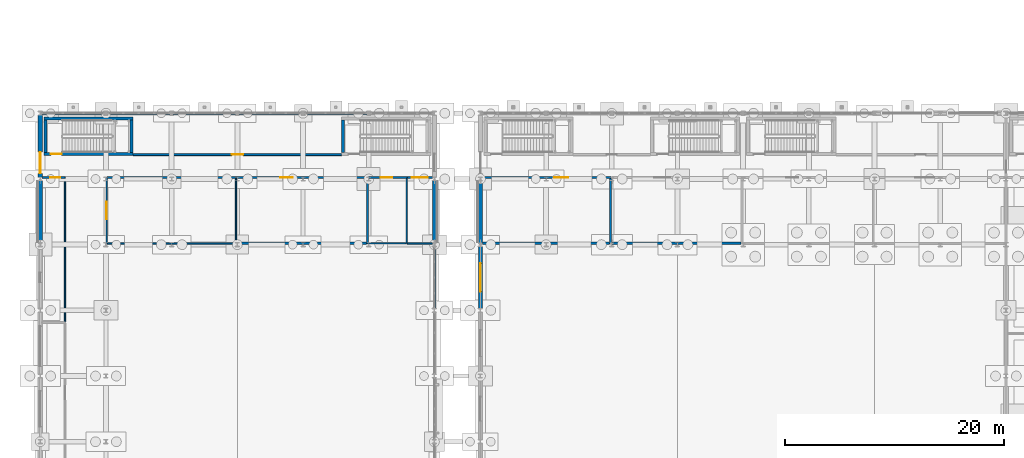
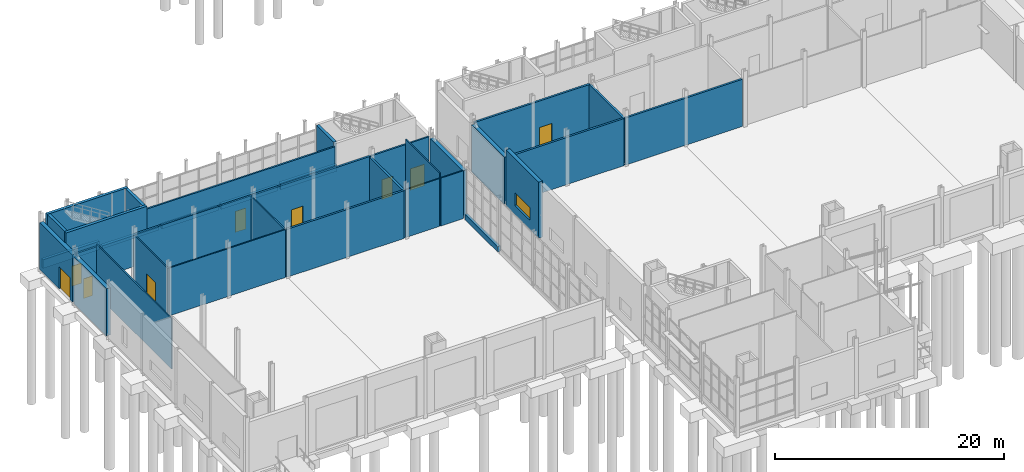
# One storey, part 94 of 120: 35 walls, 9 doors, 1 window, 10 openings.
"""IFC4 building model written with IfcOpenShell, lengths in metres."""

from ifc_helpers import new_model, si_unit, direction, frame, frame_2d, origin, place, context, subcontext, project, spatial, rectangle, extrude, material, layer, layer_set, type_object, element, fill, save


model = new_model("IFC4")

# Units and contexts
model_context = context("Model", 3, precision=1e-05, world=origin(), true_north=direction((0.0, 1.0)))
body_context = subcontext(model_context, "Body", "Model", "MODEL_VIEW")
ifc_project = project(units=[si_unit("LENGTHUNIT", "METRE"), si_unit("AREAUNIT", "SQUARE_METRE"), si_unit("VOLUMEUNIT", "CUBIC_METRE"), si_unit("PLANEANGLEUNIT", "RADIAN"), si_unit("MASSUNIT", "GRAM", prefix="KILO")], contexts=[model_context])

# Site, building, storey
site_placement = place(None, origin())
site = spatial("IfcSite", under=ifc_project, at=site_placement, CompositionType="ELEMENT")
building_placement = place(site_placement, origin())
building = spatial("IfcBuilding", under=site, at=building_placement, Name="Siltcreek Boulevard Central Fire Station", CompositionType="ELEMENT")
storey_placement = place(building_placement, origin())
storey = spatial("IfcBuildingStorey", under=building, at=storey_placement, Name="L01", CompositionType="ELEMENT", Elevation=0.0)

# Wall, opening, door
ifc_material_1 = material(Name="Concrete C40/50", Category="concrete")
ifc_layer_1 = layer(ifc_material_1, 0.280029296875, Name="Concrete C40/50")
ifc_layer_set_1 = layer_set([ifc_layer_1], Name="Concrete C40/50")
wall_type_1 = type_object("IfcWallType", Name="CW_SHEAR280", PredefinedType="SHEAR", material=ifc_layer_set_1)
wall_1_placement = place(storey_placement, frame((2.1201171875, 50.260009765625, 0.0), z_axis=(0.0, 0.0, 1.0), x_axis=(1.0, 0.0, 0.0)))
wall_1 = element("IfcWall", 1, at=wall_1_placement, inside=storey, type_object=wall_type_1, Name="L01 ST-V4A stair enclosure south shear wall", PredefinedType="SHEAR", context=body_context, shape_type="SweptSolid", body=[
    extrude(rectangle(XDim=8.159912109375, YDim=0.280029296875, at=frame_2d((4.080078125, 0.0))), origin(), (0.0, 0.0, 1.0), 6.0),
])
opening_1_placement = place(wall_1_placement, frame((0.64990234375, 0.0, 0.0)))
opening_1 = element("IfcOpeningElement", 2, at=opening_1_placement, cuts=wall_1, Name="Opening SD-001", PredefinedType="OPENING", context=body_context, shape_type="SweptSolid", body=[
    extrude(rectangle(XDim=0.97998046875, YDim=2.14990234375, at=frame_2d((0.489990234375, 1.074951171875))), frame((0.0, 0.14990234375, 0.0), z_axis=(0.0, -1.0, 0.0), x_axis=(1.0, 0.0, 0.0)), (0.0, 0.0, 1.0), 0.300048828125),
])
ifc_material_2 = material(Name="Hollow metal 90-min enclosed stair door")
door_type_1 = type_object("IfcDoorType", Name="DR_ST_098X215", OperationType="NOTDEFINED", PredefinedType="DOOR", material=ifc_material_2)
door_1_placement = place(opening_1_placement, origin())
door_1 = element("IfcDoor", 3, at=door_1_placement, inside=storey, type_object=door_type_1, Name="L01 ST-V4A enclosed exit stair door SD-001", OperationType="SINGLE_SWING_RIGHT", OverallHeight=2.14990234375, OverallWidth=0.97998046875, PredefinedType="DOOR", context=body_context, shape_type="SweptSolid", body=[
    extrude(rectangle(XDim=0.97998046875, YDim=2.14990234375, at=frame_2d((0.489990234375, 1.074951171875))), frame((0.0, 0.02490234375, 0.0), z_axis=(0.0, -1.0, 0.0), x_axis=(1.0, 0.0, 0.0)), (0.0, 0.0, 1.0), 0.050048828125),
])
fill(opening_1, door_1)

# Walls
wall_2_placement = place(storey_placement, frame((10.280029296875, 53.5400390625, 0.0), z_axis=(0.0, 0.0, 1.0), x_axis=(-1.0, 0.0, 0.0)))
element("IfcWall", 4, at=wall_2_placement, inside=storey, type_object=wall_type_1, Name="L01 ST-V4A stair enclosure north shear wall", PredefinedType="SHEAR", context=body_context, shape_type="SweptSolid", body=[
    extrude(rectangle(XDim=8.159912109375, YDim=0.280029296875, at=frame_2d((4.080078125, 0.0))), origin(), (0.0, 0.0, 1.0), 6.0),
])
for number, where, z_axis, x_axis, name in (
    (5, (2.260009765625, 53.39990234375, 0.0), (0.0, 0.0, 1.0), (0.0, -1.0, 0.0), "L01 ST-V4A stair enclosure west shear wall"),
    (6, (10.139892578125, 50.39990234375, 0.0), (0.0, 0.0, 1.0), (0.0, 1.0, 0.0), "L01 ST-V4A stair enclosure east shear wall"),
    (7, (29.4599609375, 53.39990234375, 0.0), (0.0, 0.0, 1.0), (0.0, -1.0, 0.0), "L01 ST-V4B stair enclosure west shear wall"),
):
    element("IfcWall", number, at=place(storey_placement, frame(where, z_axis=z_axis, x_axis=x_axis)), inside=storey, type_object=wall_type_1, Name=name, PredefinedType="SHEAR", context=body_context, shape_type="SweptSolid", body=[
        extrude(rectangle(XDim=3.0, YDim=0.280029296875, at=frame_2d((1.5, 0.0))), origin(), (0.0, 0.0, 1.0), 6.0),
    ])

# Wall, opening, window
ifc_material_3 = material(Name="Terracotta brick rainscreen on insulated CMU", Category="masonry")
ifc_layer_2 = layer(ifc_material_3, 0.389892578125, Name="Terracotta brick rainscreen on insulated CMU")
ifc_layer_set_2 = layer_set([ifc_layer_2], Name="Terracotta brick rainscreen on insulated CMU")
wall_type_2 = type_object("IfcWallType", Name="EW_BRICK390", PredefinedType="STANDARD", material=ifc_layer_set_2)
wall_3_placement = place(storey_placement, frame((42.0, 41.85498046875, 0.0), z_axis=(0.0, 0.0, 1.0), x_axis=(0.0, -1.0, 0.0)))
wall_3 = element("IfcWall", 8, at=wall_3_placement, inside=storey, type_object=wall_type_2, Name="L01 V1 exterior insulated rainscreen wall WL-EXT-L01-0023", PredefinedType="STANDARD", context=body_context, shape_type="SweptSolid", body=[
    extrude(rectangle(XDim=5.7099609375, YDim=0.389892578125, at=frame_2d((2.85498046875, 0.0))), origin(), (0.0, 0.0, 1.0), 6.0),
])
opening_2_placement = place(wall_3_placement, frame((1.554931640625, 0.0, 1.0)))
opening_2 = element("IfcOpeningElement", 9, at=opening_2_placement, cuts=wall_3, Name="Opening WN12", PredefinedType="OPENING", context=body_context, shape_type="SweptSolid", body=[
    extrude(rectangle(XDim=2.60009765625, YDim=1.360107421875, at=frame_2d((1.300048828125, 0.68017578125))), frame((0.0, 0.204833984375, 0.0), z_axis=(0.0, -1.0, 0.0), x_axis=(1.0, 0.0, 0.0)), (0.0, 0.0, 1.0), 0.409912109375),
])
ifc_material_4 = material(Name="Thermally broken aluminum frame with low-E insulated glass", Category="aluminium")
window_type = type_object("IfcWindowType", Name="WN_PB_260X136", PartitioningType="SINGLE_PANEL", PredefinedType="WINDOW", material=ifc_material_4)
window_placement = place(opening_2_placement, origin())
window = element("IfcWindow", 10, at=window_placement, inside=storey, type_object=window_type, Name="L01 V1 exterior window WN-0006", OverallHeight=1.360107421875, OverallWidth=2.60009765625, PartitioningType="SINGLE_PANEL", PredefinedType="WINDOW", context=body_context, shape_type="SweptSolid", body=[
    extrude(rectangle(XDim=2.60009765625, YDim=1.360107421875, at=frame_2d((1.300048828125, 0.68017578125))), frame((0.0, 0.030029296875, 0.0), z_axis=(0.0, -1.0, 0.0), x_axis=(1.0, 0.0, 0.0)), (0.0, 0.0, 1.0), 0.06005859375),
])
fill(opening_2, window)

# Walls
for number, where, z_axis, x_axis, name in (
    (11, (42.0, 47.85498046875, 0.0), (0.0, 0.0, 1.0), (0.0, -1.0, 0.0), "L01 V1 exterior insulated rainscreen wall WL-EXT-L01-0024"),
    (12, (1.800048828125, 47.85498046875, 0.0), (0.0, 0.0, 1.0), (0.0, -1.0, 0.0), "L01 V4 exterior insulated rainscreen wall WL-EXT-L01-0239"),
):
    element("IfcWall", number, at=place(storey_placement, frame(where, z_axis=z_axis, x_axis=x_axis)), inside=storey, type_object=wall_type_2, Name=name, PredefinedType="STANDARD", context=body_context, shape_type="SweptSolid", body=[
        extrude(rectangle(XDim=5.7099609375, YDim=0.389892578125, at=frame_2d((2.85498046875, 0.0))), origin(), (0.0, 0.0, 1.0), 5.0439453125),
    ])

# Wall, opening, door
wall_4_placement = place(storey_placement, frame((1.800048828125, 53.85498046875, 0.0), z_axis=(0.0, 0.0, 1.0), x_axis=(0.0, -1.0, 0.0)))
wall_4 = element("IfcWall", 13, at=wall_4_placement, inside=storey, type_object=wall_type_2, Name="L01 V4 exterior insulated rainscreen wall WL-EXT-L01-0240", PredefinedType="STANDARD", context=body_context, shape_type="SweptSolid", body=[
    extrude(rectangle(XDim=5.7099609375, YDim=0.389892578125, at=frame_2d((2.85498046875, 0.0))), origin(), (0.0, 0.0, 1.0), 5.0439453125),
])
opening_3_placement = place(wall_4_placement, frame((3.3935546875, 0.0, 0.0)))
opening_3 = element("IfcOpeningElement", 14, at=opening_3_placement, cuts=wall_4, Name="Opening ED-124", PredefinedType="OPENING", context=body_context, shape_type="SweptSolid", body=[
    extrude(rectangle(XDim=1.949951171875, YDim=2.35009765625, at=frame_2d((0.97509765625, 1.175048828125))), frame((0.0, 0.204833984375, 0.0), z_axis=(0.0, -1.0, 0.0), x_axis=(1.0, 0.0, 0.0)), (0.0, 0.0, 1.0), 0.409912109375),
])
ifc_material_5 = material(Name="Hollow metal insulated exit discharge pair")
door_type_2 = type_object("IfcDoorType", Name="DR_EXT_195X235", OperationType="NOTDEFINED", PredefinedType="DOOR", material=ifc_material_5)
door_2_placement = place(opening_3_placement, frame((1.949951171875, 0.0, 0.0), z_axis=(0.0, 0.0, 1.0), x_axis=(-1.0, 0.0, 0.0)))
door_2 = element("IfcDoor", 15, at=door_2_placement, inside=storey, type_object=door_type_2, Name="Ground level pedestrian final exit door ED-124", OperationType="DOUBLE_DOOR_SINGLE_SWING", OverallHeight=2.35009765625, OverallWidth=1.949951171875, PredefinedType="DOOR", context=body_context, shape_type="SweptSolid", body=[
    extrude(rectangle(XDim=1.949951171875, YDim=2.35009765625, at=frame_2d((0.97509765625, 1.175048828125))), frame((0.0, 0.02490234375, 0.0), z_axis=(0.0, -1.0, 0.0), x_axis=(1.0, 0.0, 0.0)), (0.0, 0.0, 1.0), 0.050048828125),
])
fill(opening_3, door_2)

# Walls
wall_5_placement = place(storey_placement, frame((37.800048828125, 42.14501953125, 0.0), z_axis=(0.0, 0.0, 1.0), x_axis=(0.0, 1.0, 0.0)))
element("IfcWall", 16, at=wall_5_placement, inside=storey, type_object=wall_type_2, Name="L01 V4 exterior insulated rainscreen wall WL-EXT-L01-0245", PredefinedType="STANDARD", context=body_context, shape_type="SweptSolid", body=[
    extrude(rectangle(XDim=5.7099609375, YDim=0.389892578125, at=frame_2d((2.85498046875, 0.0))), origin(), (0.0, 0.0, 1.0), 5.0439453125),
])
ifc_material_6 = material(Name="White ribbed aluminum spandrel wall", Category="aluminium")
ifc_layer_3 = layer(ifc_material_6, 0.2900390625, Name="White ribbed aluminum spandrel wall")
ifc_layer_set_3 = layer_set([ifc_layer_3], Name="White ribbed aluminum spandrel wall")
wall_type_3 = type_object("IfcWallType", Name="EW_METAL290", PredefinedType="STANDARD", material=ifc_layer_set_3)
wall_6_placement = place(storey_placement, frame((7.655029296875, 54.0, 0.0), z_axis=(0.0, 0.0, 1.0), x_axis=(-1.0, 0.0, 0.0)))
element("IfcWall", 17, at=wall_6_placement, inside=storey, type_object=wall_type_3, Name="L01 V4 curtain-wall sill spandrel 0229", PredefinedType="STANDARD", context=body_context, shape_type="SweptSolid", body=[
    extrude(rectangle(XDim=5.7099609375, YDim=0.2900390625, at=frame_2d((2.85498046875, 0.0))), origin(), (0.0, 0.0, 1.0), 0.919921875),
])
wall_7_placement = place(storey_placement, frame((13.655029296875, 54.0, 0.0), z_axis=(0.0, 0.0, 1.0), x_axis=(-1.0, 0.0, 0.0)))
element("IfcWall", 18, at=wall_7_placement, inside=storey, type_object=wall_type_3, Name="L01 V4 curtain-wall sill spandrel 0230", PredefinedType="STANDARD", context=body_context, shape_type="SweptSolid", body=[
    extrude(rectangle(XDim=5.7099609375, YDim=0.2900390625, at=frame_2d((2.85498046875, 0.0))), origin(), (0.0, 0.0, 1.0), 0.320068359375),
])
wall_8_placement = place(storey_placement, frame((19.655029296875, 54.0, 0.0), z_axis=(0.0, 0.0, 1.0), x_axis=(-1.0, 0.0, 0.0)))
element("IfcWall", 19, at=wall_8_placement, inside=storey, type_object=wall_type_3, Name="L01 V4 curtain-wall sill spandrel 0231", PredefinedType="STANDARD", context=body_context, shape_type="SweptSolid", body=[
    extrude(rectangle(XDim=5.7099609375, YDim=0.2900390625, at=frame_2d((2.85498046875, 0.0))), origin(), (0.0, 0.0, 1.0), 0.43994140625),
])
wall_9_placement = place(storey_placement, frame((25.655029296875, 54.0, 0.0), z_axis=(0.0, 0.0, 1.0), x_axis=(-1.0, 0.0, 0.0)))
element("IfcWall", 20, at=wall_9_placement, inside=storey, type_object=wall_type_3, Name="L01 V4 curtain-wall sill spandrel 0232", PredefinedType="STANDARD", context=body_context, shape_type="SweptSolid", body=[
    extrude(rectangle(XDim=5.7099609375, YDim=0.2900390625, at=frame_2d((2.85498046875, 0.0))), origin(), (0.0, 0.0, 1.0), 0.56005859375),
])
wall_10_placement = place(storey_placement, frame((31.655029296875, 54.0, 0.0), z_axis=(0.0, 0.0, 1.0), x_axis=(-1.0, 0.0, 0.0)))
element("IfcWall", 21, at=wall_10_placement, inside=storey, type_object=wall_type_3, Name="L01 V4 curtain-wall sill spandrel 0233", PredefinedType="STANDARD", context=body_context, shape_type="SweptSolid", body=[
    extrude(rectangle(XDim=5.7099609375, YDim=0.2900390625, at=frame_2d((2.85498046875, 0.0))), origin(), (0.0, 0.0, 1.0), 0.679931640625),
])
wall_11_placement = place(storey_placement, frame((37.800048828125, 36.14501953125, 0.0), z_axis=(0.0, 0.0, 1.0), x_axis=(0.0, 1.0, 0.0)))
element("IfcWall", 22, at=wall_11_placement, inside=storey, type_object=wall_type_3, Name="L01 V4 curtain-wall sill spandrel 0244", PredefinedType="STANDARD", context=body_context, shape_type="SweptSolid", body=[
    extrude(rectangle(XDim=5.7099609375, YDim=0.2900390625, at=frame_2d((2.85498046875, 0.0))), origin(), (0.0, 0.0, 1.0), 0.56005859375),
])

# Wall, opening, door
ifc_material_7 = material(Name="Fire-rated concrete masonry and gypsum barrier", Category="masonry")
ifc_layer_4 = layer(ifc_material_7, 0.199951171875, Name="Fire-rated concrete masonry and gypsum barrier")
ifc_layer_set_4 = layer_set([ifc_layer_4], Name="Fire-rated concrete masonry and gypsum barrier")
wall_type_4 = type_object("IfcWallType", Name="IW_FIRE200", PredefinedType="PARTITIONING", material=ifc_layer_set_4)
wall_12_placement = place(storey_placement, frame((19.742431640625, 48.1298828125, 0.0), z_axis=(0.0, 0.0, 1.0), x_axis=(1.0, 0.0, 0.0)))
wall_12 = element("IfcWall", 23, at=wall_12_placement, inside=storey, type_object=wall_type_4, Name="L01 Hydraulic Lift Testing Bay partition 0024", PredefinedType="PARTITIONING", context=body_context, shape_type="SweptSolid", body=[
    extrude(rectangle(XDim=11.9775390625, YDim=0.199951171875, at=frame_2d((5.98876953125, 0.0))), origin(), (0.0, 0.0, 1.0), 5.113037109375),
])
opening_4_placement = place(wall_12_placement, frame((3.9677734375, 0.0, 0.0)))
opening_4 = element("IfcOpeningElement", 24, at=opening_4_placement, cuts=wall_12, Name="Opening ID07", PredefinedType="OPENING", context=body_context, shape_type="SweptSolid", body=[
    extrude(rectangle(XDim=1.1298828125, YDim=2.179931640625, at=frame_2d((0.56494140625, 1.08984375))), frame((0.0, 0.10986328125, 0.0), z_axis=(0.0, -1.0, 0.0), x_axis=(1.0, 0.0, 0.0)), (0.0, 0.0, 1.0), 0.219970703125),
])
ifc_material_8 = material(Name="Galvanized steel drill training prop door", Category="steel")
door_type_3 = type_object("IfcDoorType", Name="DR_DRL_113X218", OperationType="NOTDEFINED", PredefinedType="DOOR", material=ifc_material_8)
door_3_placement = place(opening_4_placement, frame((1.1298828125, 0.0, 0.0), z_axis=(0.0, 0.0, 1.0), x_axis=(-1.0, 0.0, 0.0)))
door_3 = element("IfcDoor", 25, at=door_3_placement, inside=storey, type_object=door_type_3, Name="L01 Hydraulic Lift Testing Bay door ID-0011", OperationType="SINGLE_SWING_RIGHT", OverallHeight=2.179931640625, OverallWidth=1.1298828125, PredefinedType="DOOR", context=body_context, shape_type="SweptSolid", body=[
    extrude(rectangle(XDim=1.1298828125, YDim=2.179931640625, at=frame_2d((0.56494140625, 1.08984375))), frame((0.0, 0.02490234375, 0.0), z_axis=(0.0, -1.0, 0.0), x_axis=(1.0, 0.0, 0.0)), (0.0, 0.0, 1.0), 0.050048828125),
])
fill(opening_4, door_3)

# Walls
wall_13_placement = place(storey_placement, frame((31.679931640625, 48.050048828125, 0.0), z_axis=(0.0, 0.0, 1.0), x_axis=(0.0, -1.0, 0.0)))
element("IfcWall", 26, at=wall_13_placement, inside=storey, type_object=wall_type_4, Name="L01 Hydraulic Lift Testing Bay partition 0025", PredefinedType="PARTITIONING", context=body_context, shape_type="SweptSolid", body=[
    extrude(rectangle(XDim=5.969970703125, YDim=0.199951171875, at=frame_2d((2.98486328125, 0.0))), origin(), (0.0, 0.0, 1.0), 5.0439453125),
])
wall_14_placement = place(storey_placement, frame((31.60009765625, 42.1201171875, 0.0), z_axis=(0.0, 0.0, 1.0), x_axis=(-1.0, 0.0, 0.0)))
element("IfcWall", 27, at=wall_14_placement, inside=storey, type_object=wall_type_4, Name="L01 Hydraulic Lift Testing Bay partition 0026", PredefinedType="PARTITIONING", context=body_context, shape_type="SweptSolid", body=[
    extrude(rectangle(XDim=11.857666015625, YDim=0.199951171875, at=frame_2d((5.9287109375, 0.0))), origin(), (0.0, 0.0, 1.0), 5.113037109375),
])

# Wall, opening, door
wall_15_placement = place(storey_placement, frame((42.195068359375, 48.1298828125, 0.0), z_axis=(0.0, 0.0, 1.0), x_axis=(1.0, 0.0, 0.0)))
wall_15 = element("IfcWall", 28, at=wall_15_placement, inside=storey, type_object=wall_type_4, Name="L01 Gross Decontamination Room partition 0042", PredefinedType="PARTITIONING", context=body_context, shape_type="SweptSolid", body=[
    extrude(rectangle(XDim=11.724853515625, YDim=0.199951171875, at=frame_2d((5.8623046875, 0.0))), origin(), (0.0, 0.0, 1.0), 5.034912109375),
])
opening_5_placement = place(wall_15_placement, frame((6.555908203125, 0.0, 0.0)))
opening_5 = element("IfcOpeningElement", 29, at=opening_5_placement, cuts=wall_15, Name="Opening ID10", PredefinedType="OPENING", context=body_context, shape_type="SweptSolid", body=[
    extrude(rectangle(XDim=1.260009765625, YDim=2.199951171875, at=frame_2d((0.6298828125, 1.10009765625))), frame((0.0, 0.10986328125, 0.0), z_axis=(0.0, -1.0, 0.0), x_axis=(1.0, 0.0, 0.0)), (0.0, 0.0, 1.0), 0.219970703125),
])
ifc_material_9 = material(Name="Hollow metal equipment storage door")
door_type_4 = type_object("IfcDoorType", Name="DR_STR_126X220", OperationType="NOTDEFINED", PredefinedType="DOOR", material=ifc_material_9)
door_4_placement = place(opening_5_placement, frame((1.260009765625, 0.0, 0.0), z_axis=(0.0, 0.0, 1.0), x_axis=(-1.0, 0.0, 0.0)))
door_4 = element("IfcDoor", 30, at=door_4_placement, inside=storey, type_object=door_type_4, Name="L01 Gross Decontamination Room door ID-0019", OperationType="SINGLE_SWING_RIGHT", OverallHeight=2.199951171875, OverallWidth=1.260009765625, PredefinedType="DOOR", context=body_context, shape_type="SweptSolid", body=[
    extrude(rectangle(XDim=1.260009765625, YDim=2.199951171875, at=frame_2d((0.6298828125, 1.10009765625))), frame((0.0, 0.02490234375, 0.0), z_axis=(0.0, -1.0, 0.0), x_axis=(1.0, 0.0, 0.0)), (0.0, 0.0, 1.0), 0.050048828125),
])
fill(opening_5, door_4)

# Walls
wall_16_placement = place(storey_placement, frame((53.8798828125, 48.050048828125, 0.0), z_axis=(0.0, 0.0, 1.0), x_axis=(0.0, -1.0, 0.0)))
element("IfcWall", 31, at=wall_16_placement, inside=storey, type_object=wall_type_4, Name="L01 Gross Decontamination Room partition 0043", PredefinedType="PARTITIONING", context=body_context, shape_type="SweptSolid", body=[
    extrude(rectangle(XDim=5.969970703125, YDim=0.199951171875, at=frame_2d((2.98486328125, 0.0))), origin(), (0.0, 0.0, 1.0), 5.0439453125),
])
wall_17_placement = place(storey_placement, frame((53.800048828125, 42.1201171875, 0.0), z_axis=(0.0, 0.0, 1.0), x_axis=(-1.0, 0.0, 0.0)))
element("IfcWall", 32, at=wall_17_placement, inside=storey, type_object=wall_type_4, Name="L01 Gross Decontamination Room partition 0044", PredefinedType="PARTITIONING", context=body_context, shape_type="SweptSolid", body=[
    extrude(rectangle(XDim=11.60498046875, YDim=0.199951171875, at=frame_2d((5.802490234375, 0.0))), origin(), (0.0, 0.0, 1.0), 5.034912109375),
])
wall_18_placement = place(storey_placement, frame((65.800048828125, 42.1201171875, 0.0), z_axis=(0.0, 0.0, 1.0), x_axis=(-1.0, 0.0, 0.0)))
element("IfcWall", 33, at=wall_18_placement, inside=storey, type_object=wall_type_4, Name="L01 PPE Extractor and Drying Laundry Room partition 0047", PredefinedType="PARTITIONING", context=body_context, shape_type="SweptSolid", body=[
    extrude(rectangle(XDim=11.820068359375, YDim=0.199951171875, at=frame_2d((5.91015625, 0.0))), origin(), (0.0, 0.0, 1.0), 5.034912109375),
])
ifc_material_10 = material(Name="Interior steel stud gypsum partition", Category="steel")
ifc_layer_5 = layer(ifc_material_10, 0.125, Name="Interior steel stud gypsum partition")
ifc_layer_set_5 = layer_set([ifc_layer_5], Name="Interior steel stud gypsum partition")
wall_type_5 = type_object("IfcWallType", Name="IW_PART125", PredefinedType="PARTITIONING", material=ifc_layer_set_5)
wall_19_placement = place(storey_placement, frame((4.06005859375, 48.050048828125, 0.0), z_axis=(0.0, 0.0, 1.0), x_axis=(0.0, -1.0, 0.0)))
element("IfcWall", 34, at=wall_19_placement, inside=storey, type_object=wall_type_5, Name="L01 Fleet Shop Supervisor Office partition 0019", PredefinedType="PARTITIONING", context=body_context, shape_type="SweptSolid", body=[
    extrude(rectangle(XDim=13.107666015625, YDim=0.125, at=frame_2d((6.5537109375, 0.0))), origin(), (0.0, 0.0, 1.0), 5.389892578125),
])

# Wall, opening, door
wall_20_placement = place(storey_placement, frame((7.8701171875, 42.117431640625, 0.0), z_axis=(0.0, 0.0, 1.0), x_axis=(0.0, 1.0, 0.0)))
wall_20 = element("IfcWall", 35, at=wall_20_placement, inside=storey, type_object=wall_type_5, Name="L01 Heavy Tool Calibration Workshop partition 0020", PredefinedType="PARTITIONING", context=body_context, shape_type="SweptSolid", body=[
    extrude(rectangle(XDim=6.01513671875, YDim=0.125, at=frame_2d((3.007568359375, 0.0))), origin(), (0.0, 0.0, 1.0), 5.0439453125),
])
opening_6_placement = place(wall_20_placement, frame((2.217529296875, 0.0, 0.0)))
opening_6 = element("IfcOpeningElement", 36, at=opening_6_placement, cuts=wall_20, Name="Opening AD02", PredefinedType="OPENING", context=body_context, shape_type="SweptSolid", body=[
    extrude(rectangle(XDim=1.580078125, YDim=2.199951171875, at=frame_2d((0.7900390625, 1.10009765625))), frame((0.0, 0.072509765625, 0.0), z_axis=(0.0, -1.0, 0.0), x_axis=(1.0, 0.0, 0.0)), (0.0, 0.0, 1.0), 0.14501953125),
])
ifc_material_11 = material(Name="Glazed acoustic assembly hall double door")
door_type_5 = type_object("IfcDoorType", Name="DR_HAL_158X220", OperationType="NOTDEFINED", PredefinedType="DOOR", material=ifc_material_11)
door_5_placement = place(opening_6_placement, frame((1.580078125, 0.0, 0.0), z_axis=(0.0, 0.0, 1.0), x_axis=(-1.0, 0.0, 0.0)))
door_5 = element("IfcDoor", 37, at=door_5_placement, inside=storey, type_object=door_type_5, Name="L01 Heavy Tool Calibration Workshop door ID-0010", OperationType="DOUBLE_DOOR_SINGLE_SWING", OverallHeight=2.199951171875, OverallWidth=1.580078125, PredefinedType="DOOR", context=body_context, shape_type="SweptSolid", body=[
    extrude(rectangle(XDim=1.580078125, YDim=2.199951171875, at=frame_2d((0.7900390625, 1.10009765625))), frame((0.0, 0.02490234375, 0.0), z_axis=(0.0, -1.0, 0.0), x_axis=(1.0, 0.0, 0.0)), (0.0, 0.0, 1.0), 0.050048828125),
])
fill(opening_6, door_5)

# Walls
wall_21_placement = place(storey_placement, frame((19.679931640625, 48.050048828125, 0.0), z_axis=(0.0, 0.0, 1.0), x_axis=(0.0, -1.0, 0.0)))
element("IfcWall", 38, at=wall_21_placement, inside=storey, type_object=wall_type_5, Name="L01 Heavy Tool Calibration Workshop partition 0022", PredefinedType="PARTITIONING", context=body_context, shape_type="SweptSolid", body=[
    extrude(rectangle(XDim=5.9326171875, YDim=0.125, at=frame_2d((2.96630859375, 0.0))), origin(), (0.0, 0.0, 1.0), 5.0439453125),
])
wall_22_placement = place(storey_placement, frame((19.617431640625, 42.1201171875, 0.0), z_axis=(0.0, 0.0, 1.0), x_axis=(-1.0, 0.0, 0.0)))
element("IfcWall", 39, at=wall_22_placement, inside=storey, type_object=wall_type_5, Name="L01 Heavy Tool Calibration Workshop partition 0023", PredefinedType="PARTITIONING", context=body_context, shape_type="SweptSolid", body=[
    extrude(rectangle(XDim=11.684814453125, YDim=0.125, at=frame_2d((5.84228515625, 0.0))), origin(), (0.0, 0.0, 1.0), 5.113037109375),
])
wall_23_placement = place(storey_placement, frame((37.60498046875, 42.1201171875, 0.0), z_axis=(0.0, 0.0, 1.0), x_axis=(-1.0, 0.0, 0.0)))
element("IfcWall", 40, at=wall_23_placement, inside=storey, type_object=wall_type_5, Name="L01 Fleet Lubricants and Parts Store partition 0031", PredefinedType="PARTITIONING", context=body_context, shape_type="SweptSolid", body=[
    extrude(rectangle(XDim=2.27001953125, YDim=0.125, at=frame_2d((1.135009765625, 0.0))), origin(), (0.0, 0.0, 1.0), 5.113037109375),
])

# Wall, opening, door
ifc_material_12 = material(Name="Acoustic smoke-barrier steel stud gypsum wall", Category="steel")
ifc_layer_6 = layer(ifc_material_12, 0.1650390625, Name="Acoustic smoke-barrier steel stud gypsum wall")
ifc_layer_set_6 = layer_set([ifc_layer_6], Name="Acoustic smoke-barrier steel stud gypsum wall")
wall_type_6 = type_object("IfcWallType", Name="IW_SMK165", PredefinedType="PARTITIONING", material=ifc_layer_set_6)
wall_24_placement = place(storey_placement, frame((1.9951171875, 48.1298828125, 0.0), z_axis=(0.0, 0.0, 1.0), x_axis=(1.0, 0.0, 0.0)))
wall_24 = element("IfcWall", 41, at=wall_24_placement, inside=storey, type_object=wall_type_6, Name="L01 Fleet Shop Supervisor Office partition 0018", PredefinedType="PARTITIONING", context=body_context, shape_type="SweptSolid", body=[
    extrude(rectangle(XDim=2.08740234375, YDim=0.1650390625, at=frame_2d((1.043701171875, 0.0))), origin(), (0.0, 0.0, 1.0), 5.113037109375),
])
opening_7_placement = place(wall_24_placement, frame((0.731689453125, 0.0, 0.0)))
opening_7 = element("IfcOpeningElement", 42, at=opening_7_placement, cuts=wall_24, Name="Opening ID04", PredefinedType="OPENING", context=body_context, shape_type="SweptSolid", body=[
    extrude(rectangle(XDim=0.909912109375, YDim=2.10009765625, at=frame_2d((0.455078125, 1.050048828125))), frame((0.0, 0.092529296875, 0.0), z_axis=(0.0, -1.0, 0.0), x_axis=(1.0, 0.0, 0.0)), (0.0, 0.0, 1.0), 0.18505859375),
])
ifc_material_13 = material(Name="STC-45 acoustic crew bunk room door")
door_type_6 = type_object("IfcDoorType", Name="DR_BNK_091X210", OperationType="NOTDEFINED", PredefinedType="DOOR", material=ifc_material_13)
door_6_placement = place(opening_7_placement, frame((0.909912109375, 0.0, 0.0), z_axis=(0.0, 0.0, 1.0), x_axis=(-1.0, 0.0, 0.0)))
door_6 = element("IfcDoor", 43, at=door_6_placement, inside=storey, type_object=door_type_6, Name="L01 Fleet Shop Supervisor Office door ID-0009", OperationType="SINGLE_SWING_RIGHT", OverallHeight=2.10009765625, OverallWidth=0.909912109375, PredefinedType="DOOR", context=body_context, shape_type="SweptSolid", body=[
    extrude(rectangle(XDim=0.909912109375, YDim=2.10009765625, at=frame_2d((0.455078125, 1.050048828125))), frame((0.0, 0.02490234375, 0.0), z_axis=(0.0, -1.0, 0.0), x_axis=(1.0, 0.0, 0.0)), (0.0, 0.0, 1.0), 0.050048828125),
])
fill(opening_7, door_6)

# Wall
wall_25_placement = place(storey_placement, frame((7.9326171875, 48.1298828125, 0.0), z_axis=(0.0, 0.0, 1.0), x_axis=(1.0, 0.0, 0.0)))
element("IfcWall", 44, at=wall_25_placement, inside=storey, type_object=wall_type_6, Name="L01 Heavy Tool Calibration Workshop partition 0021", PredefinedType="PARTITIONING", context=body_context, shape_type="SweptSolid", body=[
    extrude(rectangle(XDim=11.769775390625, YDim=0.1650390625, at=frame_2d((5.884765625, 0.0))), origin(), (0.0, 0.0, 1.0), 5.113037109375),
])

# Wall, opening, door
wall_26_placement = place(storey_placement, frame((31.780029296875, 48.1298828125, 0.0), z_axis=(0.0, 0.0, 1.0), x_axis=(1.0, 0.0, 0.0)))
wall_26 = element("IfcWall", 45, at=wall_26_placement, inside=storey, type_object=wall_type_6, Name="L01 Fleet Staff Accessible Toilet L01 partition 0027", PredefinedType="PARTITIONING", context=body_context, shape_type="SweptSolid", body=[
    extrude(rectangle(XDim=3.5224609375, YDim=0.1650390625, at=frame_2d((1.76123046875, 0.0))), origin(), (0.0, 0.0, 1.0), 5.113037109375),
])
opening_8_placement = place(wall_26_placement, frame((1.103271484375, 0.0, 0.0)))
opening_8 = element("IfcOpeningElement", 46, at=opening_8_placement, cuts=wall_26, Name="Opening DD01", PredefinedType="OPENING", context=body_context, shape_type="SweptSolid", body=[
    extrude(rectangle(XDim=1.080078125, YDim=2.139892578125, at=frame_2d((0.5400390625, 1.06982421875))), frame((0.0, 0.092529296875, 0.0), z_axis=(0.0, -1.0, 0.0), x_axis=(1.0, 0.0, 0.0)), (0.0, 0.0, 1.0), 0.18505859375),
])
ifc_material_14 = material(Name="Stainless steel positive-pressure decon airlock door", Category="steel")
door_type_7 = type_object("IfcDoorType", Name="DR_DEC_108X214", OperationType="NOTDEFINED", PredefinedType="DOOR", material=ifc_material_14)
door_7_placement = place(opening_8_placement, frame((1.080078125, 0.0, 0.0), z_axis=(0.0, 0.0, 1.0), x_axis=(-1.0, 0.0, 0.0)))
door_7 = element("IfcDoor", 47, at=door_7_placement, inside=storey, type_object=door_type_7, Name="L01 Fleet Staff Accessible Toilet L01 door ID-0012", OperationType="SINGLE_SWING_LEFT", OverallHeight=2.139892578125, OverallWidth=1.080078125, PredefinedType="DOOR", context=body_context, shape_type="SweptSolid", body=[
    extrude(rectangle(XDim=1.080078125, YDim=2.139892578125, at=frame_2d((0.5400390625, 1.06982421875))), frame((0.0, 0.02490234375, 0.0), z_axis=(0.0, -1.0, 0.0), x_axis=(1.0, 0.0, 0.0)), (0.0, 0.0, 1.0), 0.050048828125),
])
fill(opening_8, door_7)

wall_27_placement = place(storey_placement, frame((35.3349609375, 48.1298828125, 0.0), z_axis=(0.0, 0.0, 1.0), x_axis=(1.0, 0.0, 0.0)))
wall_27 = element("IfcWall", 48, at=wall_27_placement, inside=storey, type_object=wall_type_6, Name="L01 Fleet Lubricants and Parts Store partition 0030", PredefinedType="PARTITIONING", context=body_context, shape_type="SweptSolid", body=[
    extrude(rectangle(XDim=2.27001953125, YDim=0.1650390625, at=frame_2d((1.135009765625, 0.0))), origin(), (0.0, 0.0, 1.0), 5.113037109375),
])
opening_9_placement = place(wall_27_placement, frame((0.405029296875, 0.0, 0.0)))
opening_9 = element("IfcOpeningElement", 49, at=opening_9_placement, cuts=wall_27, Name="Opening ID11", PredefinedType="OPENING", context=body_context, shape_type="SweptSolid", body=[
    extrude(rectangle(XDim=1.4599609375, YDim=2.300048828125, at=frame_2d((0.72998046875, 1.14990234375))), frame((0.0, 0.092529296875, 0.0), z_axis=(0.0, -1.0, 0.0), x_axis=(1.0, 0.0, 0.0)), (0.0, 0.0, 1.0), 0.18505859375),
])
ifc_material_15 = material(Name="Hollow metal mechanical plant double-wide door")
door_type_8 = type_object("IfcDoorType", Name="DR_PLT_146X230", OperationType="NOTDEFINED", PredefinedType="DOOR", material=ifc_material_15)
door_8_placement = place(opening_9_placement, frame((1.4599609375, 0.0, 0.0), z_axis=(0.0, 0.0, 1.0), x_axis=(-1.0, 0.0, 0.0)))
door_8 = element("IfcDoor", 50, at=door_8_placement, inside=storey, type_object=door_type_8, Name="L01 Fleet Lubricants and Parts Store door ID-0013", OperationType="SINGLE_SWING_RIGHT", OverallHeight=2.300048828125, OverallWidth=1.4599609375, PredefinedType="DOOR", context=body_context, shape_type="SweptSolid", body=[
    extrude(rectangle(XDim=1.4599609375, YDim=2.300048828125, at=frame_2d((0.72998046875, 1.14990234375))), frame((0.0, 0.02490234375, 0.0), z_axis=(0.0, -1.0, 0.0), x_axis=(1.0, 0.0, 0.0)), (0.0, 0.0, 1.0), 0.050048828125),
])
fill(opening_9, door_8)

wall_28_placement = place(storey_placement, frame((29.320068359375, 50.219970703125, 0.0), z_axis=(0.0, 0.0, 1.0), x_axis=(-1.0, 0.0, 0.0)))
wall_28 = element("IfcWall", 51, at=wall_28_placement, inside=storey, type_object=wall_type_6, Name="L01 Chassis Wash Control Room partition 0032", PredefinedType="PARTITIONING", context=body_context, shape_type="SweptSolid", body=[
    extrude(rectangle(XDim=19.0400390625, YDim=0.1650390625, at=frame_2d((9.52001953125, 0.0))), origin(), (0.0, 0.0, 1.0), 5.679931640625),
])
opening_10_placement = place(wall_28_placement, frame((8.989990234375, 0.0, 0.0)))
opening_10 = element("IfcOpeningElement", 52, at=opening_10_placement, cuts=wall_28, Name="Opening ID12", PredefinedType="OPENING", context=body_context, shape_type="SweptSolid", body=[
    extrude(rectangle(XDim=1.06005859375, YDim=2.25, at=frame_2d((0.530029296875, 1.125))), frame((0.0, 0.092529296875, 0.0), z_axis=(0.0, -1.0, 0.0), x_axis=(1.0, 0.0, 0.0)), (0.0, 0.0, 1.0), 0.18505859375),
])
ifc_material_16 = material(Name="Hardened steel radio vault security door", Category="steel")
door_type_9 = type_object("IfcDoorType", Name="DR_VLT_106X225", OperationType="NOTDEFINED", PredefinedType="DOOR", material=ifc_material_16)
door_9_placement = place(opening_10_placement, frame((1.06005859375, 0.0, 0.0), z_axis=(0.0, 0.0, 1.0), x_axis=(-1.0, 0.0, 0.0)))
door_9 = element("IfcDoor", 53, at=door_9_placement, inside=storey, type_object=door_type_9, Name="L01 Chassis Wash Control Room door ID-0014", OperationType="SINGLE_SWING_LEFT", OverallHeight=2.25, OverallWidth=1.06005859375, PredefinedType="DOOR", context=body_context, shape_type="SweptSolid", body=[
    extrude(rectangle(XDim=1.06005859375, YDim=2.25, at=frame_2d((0.530029296875, 1.125))), frame((0.0, 0.02490234375, 0.0), z_axis=(0.0, -1.0, 0.0), x_axis=(1.0, 0.0, 0.0)), (0.0, 0.0, 1.0), 0.050048828125),
])
fill(opening_10, door_9)

# Walls
ifc_material_17 = material(Name="Moisture-resistant tile backer toilet partition", Category="gypsum")
ifc_layer_7 = layer(ifc_material_17, 0.110107421875, Name="Moisture-resistant tile backer toilet partition")
ifc_layer_set_7 = layer_set([ifc_layer_7], Name="Moisture-resistant tile backer toilet partition")
wall_type_7 = type_object("IfcWallType", Name="IW_WET110", PredefinedType="PARTITIONING", material=ifc_layer_set_7)
wall_29_placement = place(storey_placement, frame((35.280029296875, 48.050048828125, 0.0), z_axis=(0.0, 0.0, 1.0), x_axis=(0.0, -1.0, 0.0)))
element("IfcWall", 54, at=wall_29_placement, inside=storey, type_object=wall_type_7, Name="L01 Fleet Staff Accessible Toilet L01 partition 0028", PredefinedType="PARTITIONING", context=body_context, shape_type="SweptSolid", body=[
    extrude(rectangle(XDim=5.925048828125, YDim=0.110107421875, at=frame_2d((2.96240234375, 0.0))), origin(), (0.0, 0.0, 1.0), 5.679931640625),
])
wall_30_placement = place(storey_placement, frame((35.22509765625, 42.1201171875, 0.0), z_axis=(0.0, 0.0, 1.0), x_axis=(-1.0, 0.0, 0.0)))
element("IfcWall", 55, at=wall_30_placement, inside=storey, type_object=wall_type_7, Name="L01 Fleet Staff Accessible Toilet L01 partition 0029", PredefinedType="PARTITIONING", context=body_context, shape_type="SweptSolid", body=[
    extrude(rectangle(XDim=3.445068359375, YDim=0.110107421875, at=frame_2d((1.72265625, 0.0))), origin(), (0.0, 0.0, 1.0), 5.113037109375),
])

save(model, "model.ifc")
